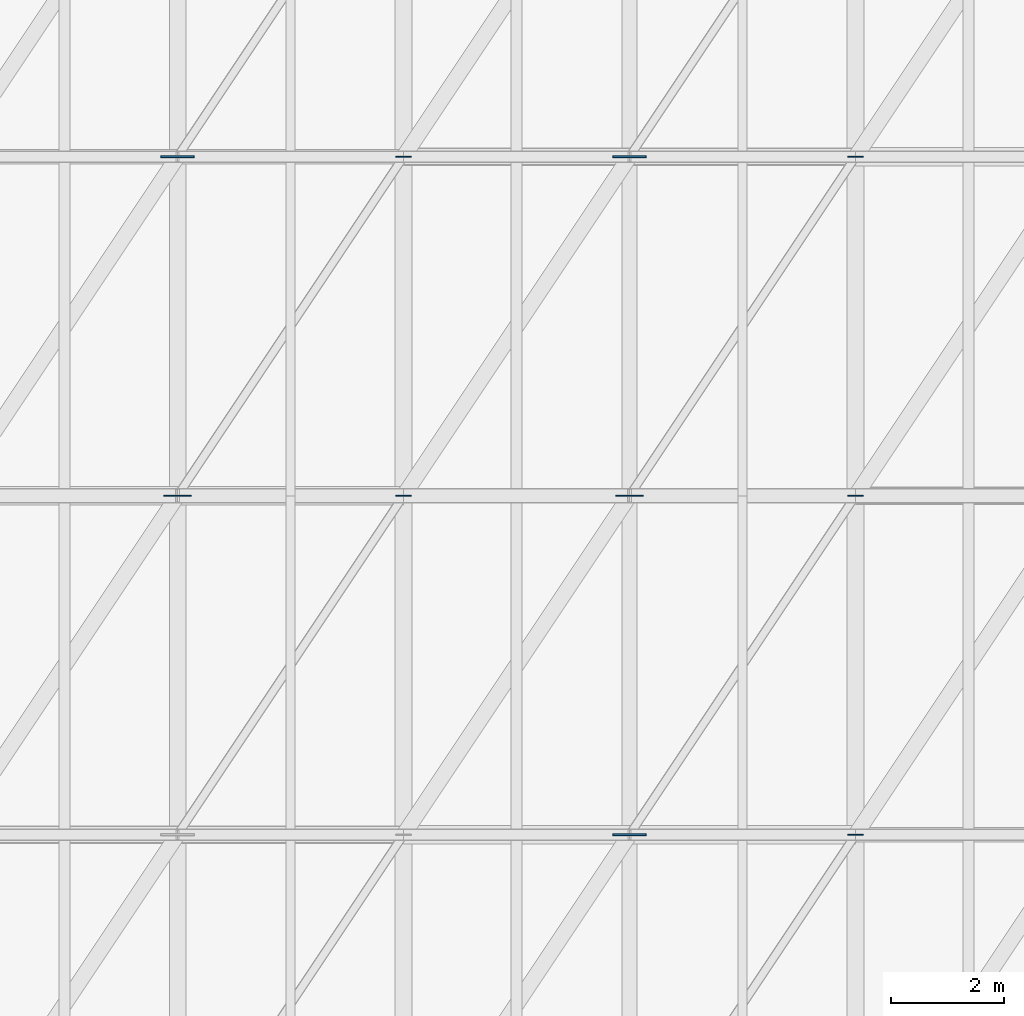
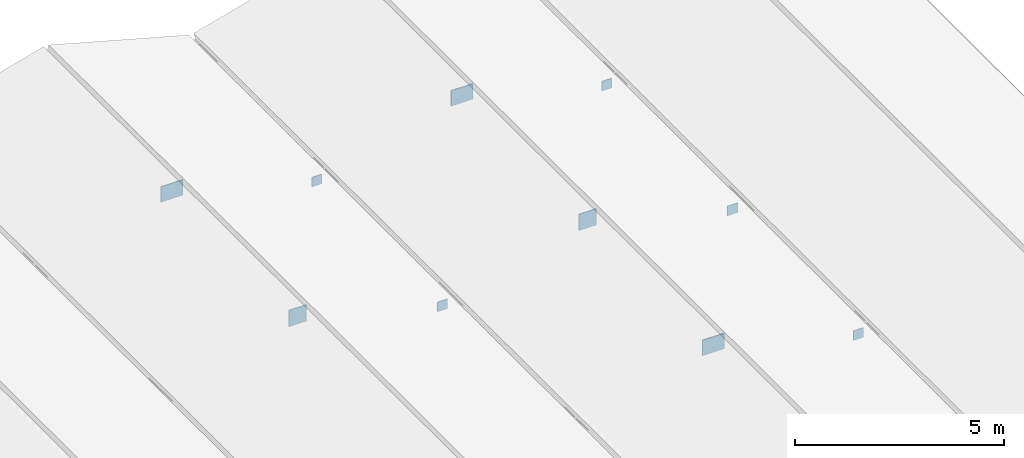
# One storey, part 22 of 27: 10 plates.
"""IFC4 building model written with IfcOpenShell, lengths in metres."""

from ifc_helpers import new_model, si_unit, direction, frame, origin, origin_2d, place, context, subcontext, project, spatial, rectangle, extrude, material, layer, layer_set, type_object, element, save


model = new_model("IFC4")

# Units and contexts
model_context = context("Model", 3, precision=1e-05, world=origin(), true_north=direction((0.0, 1.0)))
body_context = subcontext(model_context, "Body", "Model", "MODEL_VIEW")
ifc_project = project(units=[si_unit("LENGTHUNIT", "METRE"), si_unit("AREAUNIT", "SQUARE_METRE"), si_unit("VOLUMEUNIT", "CUBIC_METRE"), si_unit("PLANEANGLEUNIT", "RADIAN"), si_unit("MASSUNIT", "GRAM", prefix="KILO")], contexts=[model_context])

# Site, building, storey
site_placement = place(None, origin())
site = spatial("IfcSite", under=ifc_project, at=site_placement, CompositionType="ELEMENT")
building_placement = place(site_placement, origin())
building = spatial("IfcBuilding", under=site, at=building_placement, Name="Verrall Gate Interchange", CompositionType="ELEMENT")
storey_placement = place(building_placement, frame((0.0, 0.0, 32.800048828125)))
storey = spatial("IfcBuildingStorey", under=building, at=storey_placement, Name="RF", CompositionType="ELEMENT", Elevation=32.800048828125)

# Plates
ifc_material_1 = material(Name="Structural Steel CSA G40.21 350WT Cat 4", Category="steel")
ifc_layer_1 = layer(ifc_material_1, 0.02001953125)
ifc_layer_set_1 = layer_set([ifc_layer_1], Name="Structural Steel CSA G40.21 350WT Cat 4")
plate_type_1 = type_object("IfcPlateType", Name="GP-01 Gusset Plate 20", PredefinedType="SHEET", material=ifc_layer_set_1)
for number, where, z_axis, x_axis, name in (
    (1, (88.0, 36.0, -15.9482421875), (0.0, 0.0, 1.0), (1.0, 0.0, 0.0), "Folded-Plate Ridge Gusset Node KN-R7-4"),
    (2, (96.0, 36.0, -15.9482421875), (0.0, 0.0, 1.0), (1.0, 0.0, 0.0), "Folded-Plate Ridge Gusset Node KN-R8-4"),
):
    element("IfcPlate", number, at=place(storey_placement, frame(where, z_axis=z_axis, x_axis=x_axis)), inside=storey, type_object=plate_type_1, Name=name, PredefinedType="SHEET", context=body_context, shape_type="SweptSolid", body=[
        extrude(rectangle(XDim=0.47998046875, YDim=0.02001953125, at=origin_2d()), origin(), (0.0, 0.0, 1.0), 0.47998046875),
    ])
for number, where, z_axis, x_axis, name in (
    (3, (92.0, 36.0, -16.9482421875), (0.0, 0.0, 1.0), (1.0, 0.0, 0.0), "Folded-Plate Valley Gusset Node KN-V8-0-4"),
    (4, (92.0, 42.0, -16.9482421875), (0.0, 0.0, 1.0), (1.0, 0.0, 0.0), "Folded-Plate Valley Gusset Node KN-V8-0-5"),
    (5, (100.0, 30.0, -16.9482421875), (0.0, 0.0, 1.0), (1.0, 0.0, 0.0), "Folded-Plate Valley Gusset Node KN-V9-0-3"),
    (6, (100.0, 36.0, -16.9482421875), (0.0, 0.0, 1.0), (1.0, 0.0, 0.0), "Folded-Plate Valley Gusset Node KN-V9-0-4"),
    (7, (100.0, 42.0, -16.9482421875), (0.0, 0.0, 1.0), (1.0, 0.0, 0.0), "Folded-Plate Valley Gusset Node KN-V9-0-5"),
):
    element("IfcPlate", number, at=place(storey_placement, frame(where, z_axis=z_axis, x_axis=x_axis)), inside=storey, type_object=plate_type_1, Name=name, PredefinedType="SHEET", context=body_context, shape_type="SweptSolid", body=[
        extrude(rectangle(XDim=0.280029296875, YDim=0.02001953125, at=origin_2d()), origin(), (0.0, 0.0, 1.0), 0.280029296875),
    ])
ifc_material_2 = material(Name="Structural Steel CSA G40.21 350WT Cat 4", Category="steel")
ifc_layer_2 = layer(ifc_material_2, 0.030029296875)
ifc_layer_set_2 = layer_set([ifc_layer_2], Name="Structural Steel CSA G40.21 350WT Cat 4")
plate_type_2 = type_object("IfcPlateType", Name="GP-02 Gusset Plate 30", PredefinedType="SHEET", material=ifc_layer_set_2)
for number, where, z_axis, x_axis, name in (
    (8, (88.0, 42.0, -15.93310546875), (0.0, 0.0, 1.0), (1.0, 0.0, 0.0), "Folded-Plate Ridge Gusset Node KN-R7-5"),
    (9, (96.0, 30.0, -15.93310546875), (0.0, 0.0, 1.0), (1.0, 0.0, 0.0), "Folded-Plate Ridge Gusset Node KN-R8-3"),
    (10, (96.0, 42.0, -15.93310546875), (0.0, 0.0, 1.0), (1.0, 0.0, 0.0), "Folded-Plate Ridge Gusset Node KN-R8-5"),
):
    element("IfcPlate", number, at=place(storey_placement, frame(where, z_axis=z_axis, x_axis=x_axis)), inside=storey, type_object=plate_type_2, Name=name, PredefinedType="SHEET", context=body_context, shape_type="SweptSolid", body=[
        extrude(rectangle(XDim=0.60009765625, YDim=0.030029296875, at=origin_2d()), origin(), (0.0, 0.0, 1.0), 0.449951171875),
    ])

save(model, "model.ifc")
